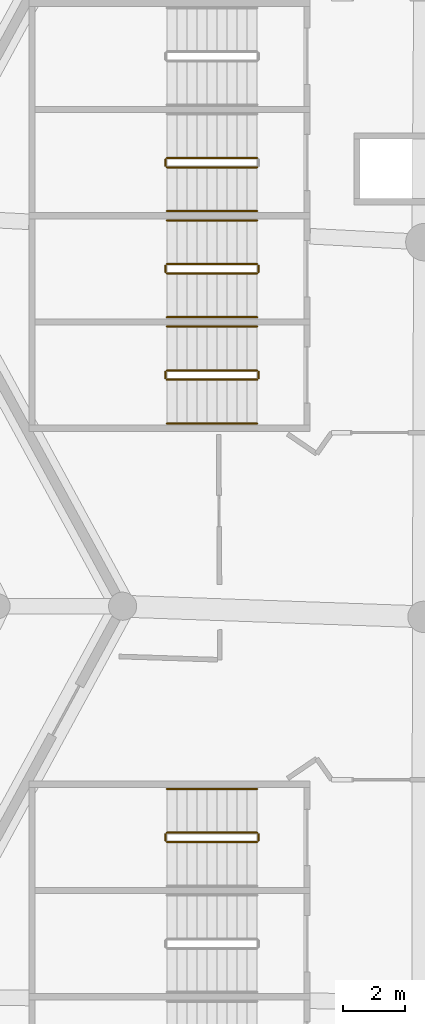
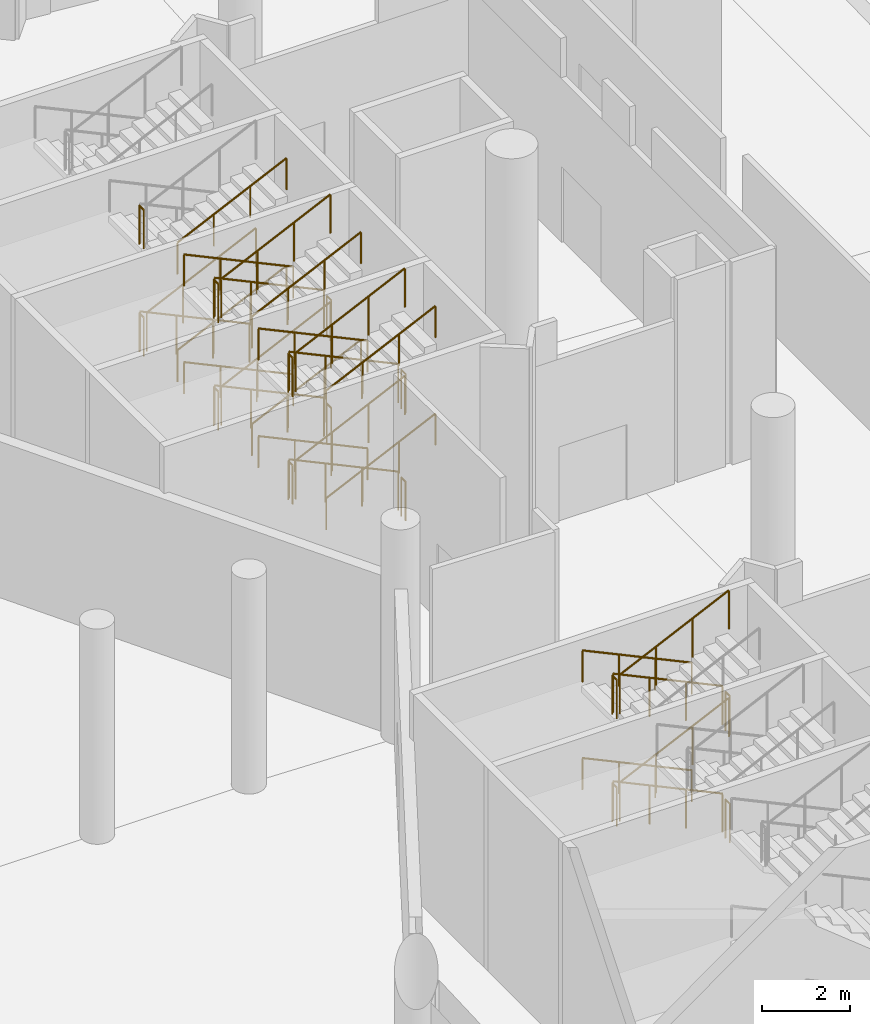
# One storey, part 228 of 249: 40 railings.
"""IFC4 building model written with IfcOpenShell, lengths in metres."""

from ifc_helpers import new_model, si_unit, direction, frame, origin, origin_2d, place, context, subcontext, project, spatial, circle, extrude, material, type_object, element, save


model = new_model("IFC4")

# Units and contexts
model_context = context("Model", 3, precision=1e-05, world=origin(), true_north=direction((0.0, 1.0)))
body_context = subcontext(model_context, "Body", "Model", "MODEL_VIEW")
ifc_project = project(units=[si_unit("LENGTHUNIT", "METRE"), si_unit("AREAUNIT", "SQUARE_METRE"), si_unit("VOLUMEUNIT", "CUBIC_METRE"), si_unit("PLANEANGLEUNIT", "RADIAN"), si_unit("MASSUNIT", "GRAM", prefix="KILO")], contexts=[model_context])

# Site, building, storey
site_placement = place(None, origin())
site = spatial("IfcSite", under=ifc_project, at=site_placement, CompositionType="ELEMENT")
building_placement = place(site_placement, origin())
building = spatial("IfcBuilding", under=site, at=building_placement, Name="Meseta Stadium", CompositionType="ELEMENT")
storey_placement = place(building_placement, frame((0.0, 0.0, 12.0)))
storey = spatial("IfcBuildingStorey", under=building, at=storey_placement, Name="L02", CompositionType="ELEMENT", Elevation=12.0)

# Railings
ifc_material_1 = material(Name="Steel S355", Category="steel")
railing_type_1 = type_object("IfcRailingType", Name="Stair guard 1100", PredefinedType="GUARDRAIL", material=ifc_material_1)
railing_1_placement = place(storey_placement, frame((-90.300048828125, 33.10009765625, 0.14990234375)))
element("IfcRailing", 1, at=railing_1_placement, inside=storey, type_object=railing_type_1, Name="ST62 L02 guard 1", PredefinedType="GUARDRAIL", context=body_context, shape_type="SweptSolid", body=[
    extrude(circle(Radius=0.02392578125, at=origin_2d()), frame((0.0, 0.0, 1.076171875), z_axis=(-0.905440498372, 0.0, 0.424473207528), x_axis=(0.0, -1.0, 0.0)), (0.0, 0.0, 1.0), 3.1806640625),
    extrude(circle(Radius=0.02099609375, at=origin_2d()), origin(), (0.0, 0.0, 1.0), 1.052001953125),
    extrude(circle(Radius=0.02099609375, at=origin_2d()), frame((-0.9599609375, 0.0, 0.449951171875)), (0.0, 0.0, 1.0), 1.052001953125),
    extrude(circle(Radius=0.02099609375, at=origin_2d()), frame((-1.919921875, 0.0, 0.900146484375)), (0.0, 0.0, 1.0), 1.052001953125),
    extrude(circle(Radius=0.02099609375, at=origin_2d()), frame((-2.8798828125, 0.0, 1.35009765625)), (0.0, 0.0, 1.0), 1.052001953125),
])
railing_2_placement = place(storey_placement, frame((-93.22998046875, 33.050048828125, 1.5)))
element("IfcRailing", 2, at=railing_2_placement, inside=storey, type_object=railing_type_1, Name="ST62 L02 guard 2", PredefinedType="GUARDRAIL", context=body_context, shape_type="SweptSolid", body=[
    extrude(circle(Radius=0.02392578125, at=origin_2d()), frame((0.0, 0.0, 1.076171875), z_axis=(0.0, -1.0, 0.0), x_axis=(1.0, 0.0, 0.0)), (0.0, 0.0, 1.0), 0.199951171875),
    extrude(circle(Radius=0.02099609375, at=origin_2d()), origin(), (0.0, 0.0, 1.0), 1.052001953125),
    extrude(circle(Radius=0.02099609375, at=origin_2d()), frame((0.0, -0.199951171875, 0.0)), (0.0, 0.0, 1.0), 1.052001953125),
])
railing_3_placement = place(storey_placement, frame((-93.179931640625, 32.800048828125, 1.64990234375)))
element("IfcRailing", 3, at=railing_3_placement, inside=storey, type_object=railing_type_1, Name="ST62 L02 guard 3", PredefinedType="GUARDRAIL", context=body_context, shape_type="SweptSolid", body=[
    extrude(circle(Radius=0.02392578125, at=origin_2d()), frame((0.0, 0.0, 1.076171875), z_axis=(0.905440498372, 0.0, 0.424473207528), x_axis=(0.0, 1.0, 0.0)), (0.0, 0.0, 1.0), 3.1806640625),
    extrude(circle(Radius=0.02099609375, at=origin_2d()), origin(), (0.0, 0.0, 1.0), 1.052001953125),
    extrude(circle(Radius=0.02099609375, at=origin_2d()), frame((0.9599609375, 0.0, 0.449951171875)), (0.0, 0.0, 1.0), 1.052001953125),
    extrude(circle(Radius=0.02099609375, at=origin_2d()), frame((1.919921875, 0.0, 0.900146484375)), (0.0, 0.0, 1.0), 1.052001953125),
    extrude(circle(Radius=0.02099609375, at=origin_2d()), frame((2.8798828125, 0.0, 1.35009765625)), (0.0, 0.0, 1.0), 1.052001953125),
])
railing_4_placement = place(storey_placement, frame((-93.22998046875, 33.050048828125, 4.5)))
element("IfcRailing", 4, at=railing_4_placement, inside=storey, type_object=railing_type_1, Name="ST62 L02 guard 6", PredefinedType="GUARDRAIL", context=body_context, shape_type="SweptSolid", body=[
    extrude(circle(Radius=0.02392578125, at=origin_2d()), frame((0.0, 0.0, 1.076171875), z_axis=(0.0, -1.0, 0.0), x_axis=(1.0, 0.0, 0.0)), (0.0, 0.0, 1.0), 0.199951171875),
    extrude(circle(Radius=0.02099609375, at=origin_2d()), origin(), (0.0, 0.0, 1.0), 1.052001953125),
    extrude(circle(Radius=0.02099609375, at=origin_2d()), frame((0.0, -0.199951171875, 0.0)), (0.0, 0.0, 1.0), 1.052001953125),
])
railing_5_placement = place(storey_placement, frame((-90.300048828125, 29.699951171875, 0.14990234375)))
element("IfcRailing", 5, at=railing_5_placement, inside=storey, type_object=railing_type_1, Name="ST63 L02 guard 1", PredefinedType="GUARDRAIL", context=body_context, shape_type="SweptSolid", body=[
    extrude(circle(Radius=0.02392578125, at=origin_2d()), frame((0.0, 0.0, 1.076171875), z_axis=(-0.905440498372, 0.0, 0.424473207528), x_axis=(0.0, -1.0, 0.0)), (0.0, 0.0, 1.0), 3.1806640625),
    extrude(circle(Radius=0.02099609375, at=origin_2d()), origin(), (0.0, 0.0, 1.0), 1.052001953125),
    extrude(circle(Radius=0.02099609375, at=origin_2d()), frame((-0.9599609375, 0.0, 0.449951171875)), (0.0, 0.0, 1.0), 1.052001953125),
    extrude(circle(Radius=0.02099609375, at=origin_2d()), frame((-1.919921875, 0.0, 0.900146484375)), (0.0, 0.0, 1.0), 1.052001953125),
    extrude(circle(Radius=0.02099609375, at=origin_2d()), frame((-2.8798828125, 0.0, 1.35009765625)), (0.0, 0.0, 1.0), 1.052001953125),
])
railing_6_placement = place(storey_placement, frame((-93.22998046875, 29.64990234375, 1.5)))
element("IfcRailing", 6, at=railing_6_placement, inside=storey, type_object=railing_type_1, Name="ST63 L02 guard 2", PredefinedType="GUARDRAIL", context=body_context, shape_type="SweptSolid", body=[
    extrude(circle(Radius=0.02392578125, at=origin_2d()), frame((0.0, 0.0, 1.076171875), z_axis=(0.0, -1.0, 0.0), x_axis=(1.0, 0.0, 0.0)), (0.0, 0.0, 1.0), 0.199951171875),
    extrude(circle(Radius=0.02099609375, at=origin_2d()), origin(), (0.0, 0.0, 1.0), 1.052001953125),
    extrude(circle(Radius=0.02099609375, at=origin_2d()), frame((0.0, -0.199951171875, 0.0)), (0.0, 0.0, 1.0), 1.052001953125),
])
railing_7_placement = place(storey_placement, frame((-93.179931640625, 29.39990234375, 1.64990234375)))
element("IfcRailing", 7, at=railing_7_placement, inside=storey, type_object=railing_type_1, Name="ST63 L02 guard 3", PredefinedType="GUARDRAIL", context=body_context, shape_type="SweptSolid", body=[
    extrude(circle(Radius=0.02392578125, at=origin_2d()), frame((0.0, 0.0, 1.076171875), z_axis=(0.905440498372, 0.0, 0.424473207528), x_axis=(0.0, 1.0, 0.0)), (0.0, 0.0, 1.0), 3.1806640625),
    extrude(circle(Radius=0.02099609375, at=origin_2d()), origin(), (0.0, 0.0, 1.0), 1.052001953125),
    extrude(circle(Radius=0.02099609375, at=origin_2d()), frame((0.9599609375, 0.0, 0.449951171875)), (0.0, 0.0, 1.0), 1.052001953125),
    extrude(circle(Radius=0.02099609375, at=origin_2d()), frame((1.919921875, 0.0, 0.900146484375)), (0.0, 0.0, 1.0), 1.052001953125),
    extrude(circle(Radius=0.02099609375, at=origin_2d()), frame((2.8798828125, 0.0, 1.35009765625)), (0.0, 0.0, 1.0), 1.052001953125),
])
railing_8_placement = place(storey_placement, frame((-90.25, 29.64990234375, 3.0)))
element("IfcRailing", 8, at=railing_8_placement, inside=storey, type_object=railing_type_1, Name="ST63 L02 guard 4", PredefinedType="GUARDRAIL", context=body_context, shape_type="SweptSolid", body=[
    extrude(circle(Radius=0.02392578125, at=origin_2d()), frame((0.0, 0.0, 1.076171875), z_axis=(0.0, -1.0, 0.0), x_axis=(1.0, 0.0, 0.0)), (0.0, 0.0, 1.0), 0.199951171875),
    extrude(circle(Radius=0.02099609375, at=origin_2d()), origin(), (0.0, 0.0, 1.0), 1.052001953125),
    extrude(circle(Radius=0.02099609375, at=origin_2d()), frame((0.0, -0.199951171875, 0.0)), (0.0, 0.0, 1.0), 1.052001953125),
])
railing_9_placement = place(storey_placement, frame((-90.300048828125, 29.699951171875, 3.14990234375)))
element("IfcRailing", 9, at=railing_9_placement, inside=storey, type_object=railing_type_1, Name="ST63 L02 guard 5", PredefinedType="GUARDRAIL", context=body_context, shape_type="SweptSolid", body=[
    extrude(circle(Radius=0.02392578125, at=origin_2d()), frame((0.0, 0.0, 1.076171875), z_axis=(-0.905440498372, 0.0, 0.424473207528), x_axis=(0.0, -1.0, 0.0)), (0.0, 0.0, 1.0), 3.1806640625),
    extrude(circle(Radius=0.02099609375, at=origin_2d()), origin(), (0.0, 0.0, 1.0), 1.052001953125),
    extrude(circle(Radius=0.02099609375, at=origin_2d()), frame((-0.9599609375, 0.0, 0.449951171875)), (0.0, 0.0, 1.0), 1.052001953125),
    extrude(circle(Radius=0.02099609375, at=origin_2d()), frame((-1.919921875, 0.0, 0.900146484375)), (0.0, 0.0, 1.0), 1.052001953125),
    extrude(circle(Radius=0.02099609375, at=origin_2d()), frame((-2.8798828125, 0.0, 1.35009765625)), (0.0, 0.0, 1.0), 1.052001953125),
])
railing_10_placement = place(storey_placement, frame((-93.22998046875, 29.64990234375, 4.5)))
element("IfcRailing", 10, at=railing_10_placement, inside=storey, type_object=railing_type_1, Name="ST63 L02 guard 6", PredefinedType="GUARDRAIL", context=body_context, shape_type="SweptSolid", body=[
    extrude(circle(Radius=0.02392578125, at=origin_2d()), frame((0.0, 0.0, 1.076171875), z_axis=(0.0, -1.0, 0.0), x_axis=(1.0, 0.0, 0.0)), (0.0, 0.0, 1.0), 0.199951171875),
    extrude(circle(Radius=0.02099609375, at=origin_2d()), origin(), (0.0, 0.0, 1.0), 1.052001953125),
    extrude(circle(Radius=0.02099609375, at=origin_2d()), frame((0.0, -0.199951171875, 0.0)), (0.0, 0.0, 1.0), 1.052001953125),
])
railing_11_placement = place(storey_placement, frame((-93.179931640625, 29.39990234375, 4.64990234375)))
element("IfcRailing", 11, at=railing_11_placement, inside=storey, type_object=railing_type_1, Name="ST63 L02 guard 7", PredefinedType="GUARDRAIL", context=body_context, shape_type="SweptSolid", body=[
    extrude(circle(Radius=0.02392578125, at=origin_2d()), frame((0.0, 0.0, 1.076171875), z_axis=(0.905440498372, 0.0, 0.424473207528), x_axis=(0.0, 1.0, 0.0)), (0.0, 0.0, 1.0), 3.1806640625),
    extrude(circle(Radius=0.02099609375, at=origin_2d()), origin(), (0.0, 0.0, 1.0), 1.052001953125),
    extrude(circle(Radius=0.02099609375, at=origin_2d()), frame((0.9599609375, 0.0, 0.449951171875)), (0.0, 0.0, 1.0), 1.052001953125),
    extrude(circle(Radius=0.02099609375, at=origin_2d()), frame((1.919921875, 0.0, 0.900146484375)), (0.0, 0.0, 1.0), 1.052001953125),
    extrude(circle(Radius=0.02099609375, at=origin_2d()), frame((2.8798828125, 0.0, 1.35009765625)), (0.0, 0.0, 1.0), 1.052001953125),
])
railing_12_placement = place(storey_placement, frame((-90.25, 29.64990234375, 0.0)))
element("IfcRailing", 12, at=railing_12_placement, inside=storey, type_object=railing_type_1, Name="ST63 L02 guard 8", PredefinedType="GUARDRAIL", context=body_context, shape_type="SweptSolid", body=[
    extrude(circle(Radius=0.02392578125, at=origin_2d()), frame((0.0, 0.0, 1.076171875), z_axis=(0.0, -1.0, 0.0), x_axis=(1.0, 0.0, 0.0)), (0.0, 0.0, 1.0), 0.199951171875),
    extrude(circle(Radius=0.02099609375, at=origin_2d()), origin(), (0.0, 0.0, 1.0), 1.052001953125),
    extrude(circle(Radius=0.02099609375, at=origin_2d()), frame((0.0, -0.199951171875, 0.0)), (0.0, 0.0, 1.0), 1.052001953125),
])
railing_13_placement = place(storey_placement, frame((-90.300048828125, 26.300048828125, 0.14990234375)))
element("IfcRailing", 13, at=railing_13_placement, inside=storey, type_object=railing_type_1, Name="ST64 L02 guard 1", PredefinedType="GUARDRAIL", context=body_context, shape_type="SweptSolid", body=[
    extrude(circle(Radius=0.02392578125, at=origin_2d()), frame((0.0, 0.0, 1.076171875), z_axis=(-0.905440498372, 0.0, 0.424473207528), x_axis=(0.0, -1.0, 0.0)), (0.0, 0.0, 1.0), 3.1806640625),
    extrude(circle(Radius=0.02099609375, at=origin_2d()), origin(), (0.0, 0.0, 1.0), 1.052001953125),
    extrude(circle(Radius=0.02099609375, at=origin_2d()), frame((-0.9599609375, 0.0, 0.449951171875)), (0.0, 0.0, 1.0), 1.052001953125),
    extrude(circle(Radius=0.02099609375, at=origin_2d()), frame((-1.919921875, 0.0, 0.900146484375)), (0.0, 0.0, 1.0), 1.052001953125),
    extrude(circle(Radius=0.02099609375, at=origin_2d()), frame((-2.8798828125, 0.0, 1.35009765625)), (0.0, 0.0, 1.0), 1.052001953125),
])
railing_14_placement = place(storey_placement, frame((-93.22998046875, 26.25, 1.5)))
element("IfcRailing", 14, at=railing_14_placement, inside=storey, type_object=railing_type_1, Name="ST64 L02 guard 2", PredefinedType="GUARDRAIL", context=body_context, shape_type="SweptSolid", body=[
    extrude(circle(Radius=0.02392578125, at=origin_2d()), frame((0.0, 0.0, 1.076171875), z_axis=(0.0, -1.0, 0.0), x_axis=(1.0, 0.0, 0.0)), (0.0, 0.0, 1.0), 0.199951171875),
    extrude(circle(Radius=0.02099609375, at=origin_2d()), origin(), (0.0, 0.0, 1.0), 1.052001953125),
    extrude(circle(Radius=0.02099609375, at=origin_2d()), frame((0.0, -0.199951171875, 0.0)), (0.0, 0.0, 1.0), 1.052001953125),
])
railing_15_placement = place(storey_placement, frame((-93.179931640625, 26.0, 1.64990234375)))
element("IfcRailing", 15, at=railing_15_placement, inside=storey, type_object=railing_type_1, Name="ST64 L02 guard 3", PredefinedType="GUARDRAIL", context=body_context, shape_type="SweptSolid", body=[
    extrude(circle(Radius=0.02392578125, at=origin_2d()), frame((0.0, 0.0, 1.076171875), z_axis=(0.905440498372, 0.0, 0.424473207528), x_axis=(0.0, 1.0, 0.0)), (0.0, 0.0, 1.0), 3.1806640625),
    extrude(circle(Radius=0.02099609375, at=origin_2d()), origin(), (0.0, 0.0, 1.0), 1.052001953125),
    extrude(circle(Radius=0.02099609375, at=origin_2d()), frame((0.9599609375, 0.0, 0.449951171875)), (0.0, 0.0, 1.0), 1.052001953125),
    extrude(circle(Radius=0.02099609375, at=origin_2d()), frame((1.919921875, 0.0, 0.900146484375)), (0.0, 0.0, 1.0), 1.052001953125),
    extrude(circle(Radius=0.02099609375, at=origin_2d()), frame((2.8798828125, 0.0, 1.35009765625)), (0.0, 0.0, 1.0), 1.052001953125),
])
railing_16_placement = place(storey_placement, frame((-90.25, 26.25, 3.0)))
element("IfcRailing", 16, at=railing_16_placement, inside=storey, type_object=railing_type_1, Name="ST64 L02 guard 4", PredefinedType="GUARDRAIL", context=body_context, shape_type="SweptSolid", body=[
    extrude(circle(Radius=0.02392578125, at=origin_2d()), frame((0.0, 0.0, 1.076171875), z_axis=(0.0, -1.0, 0.0), x_axis=(1.0, 0.0, 0.0)), (0.0, 0.0, 1.0), 0.199951171875),
    extrude(circle(Radius=0.02099609375, at=origin_2d()), origin(), (0.0, 0.0, 1.0), 1.052001953125),
    extrude(circle(Radius=0.02099609375, at=origin_2d()), frame((0.0, -0.199951171875, 0.0)), (0.0, 0.0, 1.0), 1.052001953125),
])
railing_17_placement = place(storey_placement, frame((-90.300048828125, 26.300048828125, 3.14990234375)))
element("IfcRailing", 17, at=railing_17_placement, inside=storey, type_object=railing_type_1, Name="ST64 L02 guard 5", PredefinedType="GUARDRAIL", context=body_context, shape_type="SweptSolid", body=[
    extrude(circle(Radius=0.02392578125, at=origin_2d()), frame((0.0, 0.0, 1.076171875), z_axis=(-0.905440498372, 0.0, 0.424473207528), x_axis=(0.0, -1.0, 0.0)), (0.0, 0.0, 1.0), 3.1806640625),
    extrude(circle(Radius=0.02099609375, at=origin_2d()), origin(), (0.0, 0.0, 1.0), 1.052001953125),
    extrude(circle(Radius=0.02099609375, at=origin_2d()), frame((-0.9599609375, 0.0, 0.449951171875)), (0.0, 0.0, 1.0), 1.052001953125),
    extrude(circle(Radius=0.02099609375, at=origin_2d()), frame((-1.919921875, 0.0, 0.900146484375)), (0.0, 0.0, 1.0), 1.052001953125),
    extrude(circle(Radius=0.02099609375, at=origin_2d()), frame((-2.8798828125, 0.0, 1.35009765625)), (0.0, 0.0, 1.0), 1.052001953125),
])
railing_18_placement = place(storey_placement, frame((-93.22998046875, 26.25, 4.5)))
element("IfcRailing", 18, at=railing_18_placement, inside=storey, type_object=railing_type_1, Name="ST64 L02 guard 6", PredefinedType="GUARDRAIL", context=body_context, shape_type="SweptSolid", body=[
    extrude(circle(Radius=0.02392578125, at=origin_2d()), frame((0.0, 0.0, 1.076171875), z_axis=(0.0, -1.0, 0.0), x_axis=(1.0, 0.0, 0.0)), (0.0, 0.0, 1.0), 0.199951171875),
    extrude(circle(Radius=0.02099609375, at=origin_2d()), origin(), (0.0, 0.0, 1.0), 1.052001953125),
    extrude(circle(Radius=0.02099609375, at=origin_2d()), frame((0.0, -0.199951171875, 0.0)), (0.0, 0.0, 1.0), 1.052001953125),
])
railing_19_placement = place(storey_placement, frame((-93.179931640625, 26.0, 4.64990234375)))
element("IfcRailing", 19, at=railing_19_placement, inside=storey, type_object=railing_type_1, Name="ST64 L02 guard 7", PredefinedType="GUARDRAIL", context=body_context, shape_type="SweptSolid", body=[
    extrude(circle(Radius=0.02392578125, at=origin_2d()), frame((0.0, 0.0, 1.076171875), z_axis=(0.905440498372, 0.0, 0.424473207528), x_axis=(0.0, 1.0, 0.0)), (0.0, 0.0, 1.0), 3.1806640625),
    extrude(circle(Radius=0.02099609375, at=origin_2d()), origin(), (0.0, 0.0, 1.0), 1.052001953125),
    extrude(circle(Radius=0.02099609375, at=origin_2d()), frame((0.9599609375, 0.0, 0.449951171875)), (0.0, 0.0, 1.0), 1.052001953125),
    extrude(circle(Radius=0.02099609375, at=origin_2d()), frame((1.919921875, 0.0, 0.900146484375)), (0.0, 0.0, 1.0), 1.052001953125),
    extrude(circle(Radius=0.02099609375, at=origin_2d()), frame((2.8798828125, 0.0, 1.35009765625)), (0.0, 0.0, 1.0), 1.052001953125),
])
railing_20_placement = place(storey_placement, frame((-90.25, 26.25, 0.0)))
element("IfcRailing", 20, at=railing_20_placement, inside=storey, type_object=railing_type_1, Name="ST64 L02 guard 8", PredefinedType="GUARDRAIL", context=body_context, shape_type="SweptSolid", body=[
    extrude(circle(Radius=0.02392578125, at=origin_2d()), frame((0.0, 0.0, 1.076171875), z_axis=(0.0, -1.0, 0.0), x_axis=(1.0, 0.0, 0.0)), (0.0, 0.0, 1.0), 0.199951171875),
    extrude(circle(Radius=0.02099609375, at=origin_2d()), origin(), (0.0, 0.0, 1.0), 1.052001953125),
    extrude(circle(Radius=0.02099609375, at=origin_2d()), frame((0.0, -0.199951171875, 0.0)), (0.0, 0.0, 1.0), 1.052001953125),
])
railing_21_placement = place(storey_placement, frame((-90.300048828125, 11.5, 0.14990234375)))
element("IfcRailing", 21, at=railing_21_placement, inside=storey, type_object=railing_type_1, Name="ST65 L02 guard 1", PredefinedType="GUARDRAIL", context=body_context, shape_type="SweptSolid", body=[
    extrude(circle(Radius=0.02392578125, at=origin_2d()), frame((0.0, 0.0, 1.076171875), z_axis=(-0.905440498372, 0.0, 0.424473207528), x_axis=(0.0, -1.0, 0.0)), (0.0, 0.0, 1.0), 3.1806640625),
    extrude(circle(Radius=0.02099609375, at=origin_2d()), origin(), (0.0, 0.0, 1.0), 1.052001953125),
    extrude(circle(Radius=0.02099609375, at=origin_2d()), frame((-0.9599609375, 0.0, 0.449951171875)), (0.0, 0.0, 1.0), 1.052001953125),
    extrude(circle(Radius=0.02099609375, at=origin_2d()), frame((-1.919921875, 0.0, 0.900146484375)), (0.0, 0.0, 1.0), 1.052001953125),
    extrude(circle(Radius=0.02099609375, at=origin_2d()), frame((-2.8798828125, 0.0, 1.35009765625)), (0.0, 0.0, 1.0), 1.052001953125),
])
railing_22_placement = place(storey_placement, frame((-93.22998046875, 11.449951171875, 1.5)))
element("IfcRailing", 22, at=railing_22_placement, inside=storey, type_object=railing_type_1, Name="ST65 L02 guard 2", PredefinedType="GUARDRAIL", context=body_context, shape_type="SweptSolid", body=[
    extrude(circle(Radius=0.02392578125, at=origin_2d()), frame((0.0, 0.0, 1.076171875), z_axis=(0.0, -1.0, 0.0), x_axis=(1.0, 0.0, 0.0)), (0.0, 0.0, 1.0), 0.199951171875),
    extrude(circle(Radius=0.02099609375, at=origin_2d()), origin(), (0.0, 0.0, 1.0), 1.052001953125),
    extrude(circle(Radius=0.02099609375, at=origin_2d()), frame((0.0, -0.199951171875, 0.0)), (0.0, 0.0, 1.0), 1.052001953125),
])
railing_23_placement = place(storey_placement, frame((-93.179931640625, 11.199951171875, 1.64990234375)))
element("IfcRailing", 23, at=railing_23_placement, inside=storey, type_object=railing_type_1, Name="ST65 L02 guard 3", PredefinedType="GUARDRAIL", context=body_context, shape_type="SweptSolid", body=[
    extrude(circle(Radius=0.02392578125, at=origin_2d()), frame((0.0, 0.0, 1.076171875), z_axis=(0.905440498372, 0.0, 0.424473207528), x_axis=(0.0, 1.0, 0.0)), (0.0, 0.0, 1.0), 3.1806640625),
    extrude(circle(Radius=0.02099609375, at=origin_2d()), origin(), (0.0, 0.0, 1.0), 1.052001953125),
    extrude(circle(Radius=0.02099609375, at=origin_2d()), frame((0.9599609375, 0.0, 0.449951171875)), (0.0, 0.0, 1.0), 1.052001953125),
    extrude(circle(Radius=0.02099609375, at=origin_2d()), frame((1.919921875, 0.0, 0.900146484375)), (0.0, 0.0, 1.0), 1.052001953125),
    extrude(circle(Radius=0.02099609375, at=origin_2d()), frame((2.8798828125, 0.0, 1.35009765625)), (0.0, 0.0, 1.0), 1.052001953125),
])
railing_24_placement = place(storey_placement, frame((-90.25, 11.449951171875, 3.0)))
element("IfcRailing", 24, at=railing_24_placement, inside=storey, type_object=railing_type_1, Name="ST65 L02 guard 4", PredefinedType="GUARDRAIL", context=body_context, shape_type="SweptSolid", body=[
    extrude(circle(Radius=0.02392578125, at=origin_2d()), frame((0.0, 0.0, 1.076171875), z_axis=(0.0, -1.0, 0.0), x_axis=(1.0, 0.0, 0.0)), (0.0, 0.0, 1.0), 0.199951171875),
    extrude(circle(Radius=0.02099609375, at=origin_2d()), origin(), (0.0, 0.0, 1.0), 1.052001953125),
    extrude(circle(Radius=0.02099609375, at=origin_2d()), frame((0.0, -0.199951171875, 0.0)), (0.0, 0.0, 1.0), 1.052001953125),
])
railing_25_placement = place(storey_placement, frame((-90.300048828125, 11.5, 3.14990234375)))
element("IfcRailing", 25, at=railing_25_placement, inside=storey, type_object=railing_type_1, Name="ST65 L02 guard 5", PredefinedType="GUARDRAIL", context=body_context, shape_type="SweptSolid", body=[
    extrude(circle(Radius=0.02392578125, at=origin_2d()), frame((0.0, 0.0, 1.076171875), z_axis=(-0.905440498372, 0.0, 0.424473207528), x_axis=(0.0, -1.0, 0.0)), (0.0, 0.0, 1.0), 3.1806640625),
    extrude(circle(Radius=0.02099609375, at=origin_2d()), origin(), (0.0, 0.0, 1.0), 1.052001953125),
    extrude(circle(Radius=0.02099609375, at=origin_2d()), frame((-0.9599609375, 0.0, 0.449951171875)), (0.0, 0.0, 1.0), 1.052001953125),
    extrude(circle(Radius=0.02099609375, at=origin_2d()), frame((-1.919921875, 0.0, 0.900146484375)), (0.0, 0.0, 1.0), 1.052001953125),
    extrude(circle(Radius=0.02099609375, at=origin_2d()), frame((-2.8798828125, 0.0, 1.35009765625)), (0.0, 0.0, 1.0), 1.052001953125),
])
railing_26_placement = place(storey_placement, frame((-93.22998046875, 11.449951171875, 4.5)))
element("IfcRailing", 26, at=railing_26_placement, inside=storey, type_object=railing_type_1, Name="ST65 L02 guard 6", PredefinedType="GUARDRAIL", context=body_context, shape_type="SweptSolid", body=[
    extrude(circle(Radius=0.02392578125, at=origin_2d()), frame((0.0, 0.0, 1.076171875), z_axis=(0.0, -1.0, 0.0), x_axis=(1.0, 0.0, 0.0)), (0.0, 0.0, 1.0), 0.199951171875),
    extrude(circle(Radius=0.02099609375, at=origin_2d()), origin(), (0.0, 0.0, 1.0), 1.052001953125),
    extrude(circle(Radius=0.02099609375, at=origin_2d()), frame((0.0, -0.199951171875, 0.0)), (0.0, 0.0, 1.0), 1.052001953125),
])
railing_27_placement = place(storey_placement, frame((-93.179931640625, 11.199951171875, 4.64990234375)))
element("IfcRailing", 27, at=railing_27_placement, inside=storey, type_object=railing_type_1, Name="ST65 L02 guard 7", PredefinedType="GUARDRAIL", context=body_context, shape_type="SweptSolid", body=[
    extrude(circle(Radius=0.02392578125, at=origin_2d()), frame((0.0, 0.0, 1.076171875), z_axis=(0.905440498372, 0.0, 0.424473207528), x_axis=(0.0, 1.0, 0.0)), (0.0, 0.0, 1.0), 3.1806640625),
    extrude(circle(Radius=0.02099609375, at=origin_2d()), origin(), (0.0, 0.0, 1.0), 1.052001953125),
    extrude(circle(Radius=0.02099609375, at=origin_2d()), frame((0.9599609375, 0.0, 0.449951171875)), (0.0, 0.0, 1.0), 1.052001953125),
    extrude(circle(Radius=0.02099609375, at=origin_2d()), frame((1.919921875, 0.0, 0.900146484375)), (0.0, 0.0, 1.0), 1.052001953125),
    extrude(circle(Radius=0.02099609375, at=origin_2d()), frame((2.8798828125, 0.0, 1.35009765625)), (0.0, 0.0, 1.0), 1.052001953125),
])
railing_28_placement = place(storey_placement, frame((-90.25, 11.449951171875, 0.0)))
element("IfcRailing", 28, at=railing_28_placement, inside=storey, type_object=railing_type_1, Name="ST65 L02 guard 8", PredefinedType="GUARDRAIL", context=body_context, shape_type="SweptSolid", body=[
    extrude(circle(Radius=0.02392578125, at=origin_2d()), frame((0.0, 0.0, 1.076171875), z_axis=(0.0, -1.0, 0.0), x_axis=(1.0, 0.0, 0.0)), (0.0, 0.0, 1.0), 0.199951171875),
    extrude(circle(Radius=0.02099609375, at=origin_2d()), origin(), (0.0, 0.0, 1.0), 1.052001953125),
    extrude(circle(Radius=0.02099609375, at=origin_2d()), frame((0.0, -0.199951171875, 0.0)), (0.0, 0.0, 1.0), 1.052001953125),
])
ifc_material_2 = material(Name="Steel S355", Category="steel")
railing_type_2 = type_object("IfcRailingType", Name="Stair handrail 900", PredefinedType="HANDRAIL", material=ifc_material_2)
for number, where, name in (
    (29, (-93.179931640625, 31.39990234375, 1.64990234375), "ST62 L02 handrail 2"),
    (30, (-93.179931640625, 31.39990234375, 4.64990234375), "ST62 L02 handrail 4"),
):
    element("IfcRailing", number, at=place(storey_placement, frame(where)), inside=storey, type_object=railing_type_2, Name=name, PredefinedType="HANDRAIL", context=body_context, shape_type="SweptSolid", body=[
        extrude(circle(Radius=0.02392578125, at=origin_2d()), frame((0.0, 0.0, 0.8759765625), z_axis=(0.905440498372, 0.0, 0.424473207528), x_axis=(0.0, 1.0, 0.0)), (0.0, 0.0, 1.0), 3.1806640625),
        extrude(circle(Radius=0.02099609375, at=origin_2d()), origin(), (0.0, 0.0, 1.0), 0.851806640625),
        extrude(circle(Radius=0.02099609375, at=origin_2d()), frame((0.9599609375, 0.0, 0.449951171875)), (0.0, 0.0, 1.0), 0.851806640625),
        extrude(circle(Radius=0.02099609375, at=origin_2d()), frame((1.919921875, 0.0, 0.900146484375)), (0.0, 0.0, 1.0), 0.851806640625),
        extrude(circle(Radius=0.02099609375, at=origin_2d()), frame((2.8798828125, 0.0, 1.35009765625)), (0.0, 0.0, 1.0), 0.851806640625),
    ])
railing_29_placement = place(storey_placement, frame((-90.300048828125, 31.10009765625, 0.14990234375)))
element("IfcRailing", 31, at=railing_29_placement, inside=storey, type_object=railing_type_2, Name="ST63 L02 handrail 1", PredefinedType="HANDRAIL", context=body_context, shape_type="SweptSolid", body=[
    extrude(circle(Radius=0.02392578125, at=origin_2d()), frame((0.0, 0.0, 0.8759765625), z_axis=(-0.905440498372, 0.0, 0.424473207528), x_axis=(0.0, -1.0, 0.0)), (0.0, 0.0, 1.0), 3.1806640625),
    extrude(circle(Radius=0.02099609375, at=origin_2d()), origin(), (0.0, 0.0, 1.0), 0.851806640625),
    extrude(circle(Radius=0.02099609375, at=origin_2d()), frame((-0.9599609375, 0.0, 0.449951171875)), (0.0, 0.0, 1.0), 0.851806640625),
    extrude(circle(Radius=0.02099609375, at=origin_2d()), frame((-1.919921875, 0.0, 0.900146484375)), (0.0, 0.0, 1.0), 0.851806640625),
    extrude(circle(Radius=0.02099609375, at=origin_2d()), frame((-2.8798828125, 0.0, 1.35009765625)), (0.0, 0.0, 1.0), 0.851806640625),
])
railing_30_placement = place(storey_placement, frame((-93.179931640625, 28.0, 1.64990234375)))
element("IfcRailing", 32, at=railing_30_placement, inside=storey, type_object=railing_type_2, Name="ST63 L02 handrail 2", PredefinedType="HANDRAIL", context=body_context, shape_type="SweptSolid", body=[
    extrude(circle(Radius=0.02392578125, at=origin_2d()), frame((0.0, 0.0, 0.8759765625), z_axis=(0.905440498372, 0.0, 0.424473207528), x_axis=(0.0, 1.0, 0.0)), (0.0, 0.0, 1.0), 3.1806640625),
    extrude(circle(Radius=0.02099609375, at=origin_2d()), origin(), (0.0, 0.0, 1.0), 0.851806640625),
    extrude(circle(Radius=0.02099609375, at=origin_2d()), frame((0.9599609375, 0.0, 0.449951171875)), (0.0, 0.0, 1.0), 0.851806640625),
    extrude(circle(Radius=0.02099609375, at=origin_2d()), frame((1.919921875, 0.0, 0.900146484375)), (0.0, 0.0, 1.0), 0.851806640625),
    extrude(circle(Radius=0.02099609375, at=origin_2d()), frame((2.8798828125, 0.0, 1.35009765625)), (0.0, 0.0, 1.0), 0.851806640625),
])
railing_31_placement = place(storey_placement, frame((-90.300048828125, 31.10009765625, 3.14990234375)))
element("IfcRailing", 33, at=railing_31_placement, inside=storey, type_object=railing_type_2, Name="ST63 L02 handrail 3", PredefinedType="HANDRAIL", context=body_context, shape_type="SweptSolid", body=[
    extrude(circle(Radius=0.02392578125, at=origin_2d()), frame((0.0, 0.0, 0.8759765625), z_axis=(-0.905440498372, 0.0, 0.424473207528), x_axis=(0.0, -1.0, 0.0)), (0.0, 0.0, 1.0), 3.1806640625),
    extrude(circle(Radius=0.02099609375, at=origin_2d()), origin(), (0.0, 0.0, 1.0), 0.851806640625),
    extrude(circle(Radius=0.02099609375, at=origin_2d()), frame((-0.9599609375, 0.0, 0.449951171875)), (0.0, 0.0, 1.0), 0.851806640625),
    extrude(circle(Radius=0.02099609375, at=origin_2d()), frame((-1.919921875, 0.0, 0.900146484375)), (0.0, 0.0, 1.0), 0.851806640625),
    extrude(circle(Radius=0.02099609375, at=origin_2d()), frame((-2.8798828125, 0.0, 1.35009765625)), (0.0, 0.0, 1.0), 0.851806640625),
])
railing_32_placement = place(storey_placement, frame((-93.179931640625, 28.0, 4.64990234375)))
element("IfcRailing", 34, at=railing_32_placement, inside=storey, type_object=railing_type_2, Name="ST63 L02 handrail 4", PredefinedType="HANDRAIL", context=body_context, shape_type="SweptSolid", body=[
    extrude(circle(Radius=0.02392578125, at=origin_2d()), frame((0.0, 0.0, 0.8759765625), z_axis=(0.905440498372, 0.0, 0.424473207528), x_axis=(0.0, 1.0, 0.0)), (0.0, 0.0, 1.0), 3.1806640625),
    extrude(circle(Radius=0.02099609375, at=origin_2d()), origin(), (0.0, 0.0, 1.0), 0.851806640625),
    extrude(circle(Radius=0.02099609375, at=origin_2d()), frame((0.9599609375, 0.0, 0.449951171875)), (0.0, 0.0, 1.0), 0.851806640625),
    extrude(circle(Radius=0.02099609375, at=origin_2d()), frame((1.919921875, 0.0, 0.900146484375)), (0.0, 0.0, 1.0), 0.851806640625),
    extrude(circle(Radius=0.02099609375, at=origin_2d()), frame((2.8798828125, 0.0, 1.35009765625)), (0.0, 0.0, 1.0), 0.851806640625),
])
railing_33_placement = place(storey_placement, frame((-90.300048828125, 27.699951171875, 0.14990234375)))
element("IfcRailing", 35, at=railing_33_placement, inside=storey, type_object=railing_type_2, Name="ST64 L02 handrail 1", PredefinedType="HANDRAIL", context=body_context, shape_type="SweptSolid", body=[
    extrude(circle(Radius=0.02392578125, at=origin_2d()), frame((0.0, 0.0, 0.8759765625), z_axis=(-0.905440498372, 0.0, 0.424473207528), x_axis=(0.0, -1.0, 0.0)), (0.0, 0.0, 1.0), 3.1806640625),
    extrude(circle(Radius=0.02099609375, at=origin_2d()), origin(), (0.0, 0.0, 1.0), 0.851806640625),
    extrude(circle(Radius=0.02099609375, at=origin_2d()), frame((-0.9599609375, 0.0, 0.449951171875)), (0.0, 0.0, 1.0), 0.851806640625),
    extrude(circle(Radius=0.02099609375, at=origin_2d()), frame((-1.919921875, 0.0, 0.900146484375)), (0.0, 0.0, 1.0), 0.851806640625),
    extrude(circle(Radius=0.02099609375, at=origin_2d()), frame((-2.8798828125, 0.0, 1.35009765625)), (0.0, 0.0, 1.0), 0.851806640625),
])
railing_34_placement = place(storey_placement, frame((-93.179931640625, 24.60009765625, 1.64990234375)))
element("IfcRailing", 36, at=railing_34_placement, inside=storey, type_object=railing_type_2, Name="ST64 L02 handrail 2", PredefinedType="HANDRAIL", context=body_context, shape_type="SweptSolid", body=[
    extrude(circle(Radius=0.02392578125, at=origin_2d()), frame((0.0, 0.0, 0.8759765625), z_axis=(0.905440498372, 0.0, 0.424473207528), x_axis=(0.0, 1.0, 0.0)), (0.0, 0.0, 1.0), 3.1806640625),
    extrude(circle(Radius=0.02099609375, at=origin_2d()), origin(), (0.0, 0.0, 1.0), 0.851806640625),
    extrude(circle(Radius=0.02099609375, at=origin_2d()), frame((0.9599609375, 0.0, 0.449951171875)), (0.0, 0.0, 1.0), 0.851806640625),
    extrude(circle(Radius=0.02099609375, at=origin_2d()), frame((1.919921875, 0.0, 0.900146484375)), (0.0, 0.0, 1.0), 0.851806640625),
    extrude(circle(Radius=0.02099609375, at=origin_2d()), frame((2.8798828125, 0.0, 1.35009765625)), (0.0, 0.0, 1.0), 0.851806640625),
])
railing_35_placement = place(storey_placement, frame((-90.300048828125, 27.699951171875, 3.14990234375)))
element("IfcRailing", 37, at=railing_35_placement, inside=storey, type_object=railing_type_2, Name="ST64 L02 handrail 3", PredefinedType="HANDRAIL", context=body_context, shape_type="SweptSolid", body=[
    extrude(circle(Radius=0.02392578125, at=origin_2d()), frame((0.0, 0.0, 0.8759765625), z_axis=(-0.905440498372, 0.0, 0.424473207528), x_axis=(0.0, -1.0, 0.0)), (0.0, 0.0, 1.0), 3.1806640625),
    extrude(circle(Radius=0.02099609375, at=origin_2d()), origin(), (0.0, 0.0, 1.0), 0.851806640625),
    extrude(circle(Radius=0.02099609375, at=origin_2d()), frame((-0.9599609375, 0.0, 0.449951171875)), (0.0, 0.0, 1.0), 0.851806640625),
    extrude(circle(Radius=0.02099609375, at=origin_2d()), frame((-1.919921875, 0.0, 0.900146484375)), (0.0, 0.0, 1.0), 0.851806640625),
    extrude(circle(Radius=0.02099609375, at=origin_2d()), frame((-2.8798828125, 0.0, 1.35009765625)), (0.0, 0.0, 1.0), 0.851806640625),
])
railing_36_placement = place(storey_placement, frame((-93.179931640625, 24.60009765625, 4.64990234375)))
element("IfcRailing", 38, at=railing_36_placement, inside=storey, type_object=railing_type_2, Name="ST64 L02 handrail 4", PredefinedType="HANDRAIL", context=body_context, shape_type="SweptSolid", body=[
    extrude(circle(Radius=0.02392578125, at=origin_2d()), frame((0.0, 0.0, 0.8759765625), z_axis=(0.905440498372, 0.0, 0.424473207528), x_axis=(0.0, 1.0, 0.0)), (0.0, 0.0, 1.0), 3.1806640625),
    extrude(circle(Radius=0.02099609375, at=origin_2d()), origin(), (0.0, 0.0, 1.0), 0.851806640625),
    extrude(circle(Radius=0.02099609375, at=origin_2d()), frame((0.9599609375, 0.0, 0.449951171875)), (0.0, 0.0, 1.0), 0.851806640625),
    extrude(circle(Radius=0.02099609375, at=origin_2d()), frame((1.919921875, 0.0, 0.900146484375)), (0.0, 0.0, 1.0), 0.851806640625),
    extrude(circle(Radius=0.02099609375, at=origin_2d()), frame((2.8798828125, 0.0, 1.35009765625)), (0.0, 0.0, 1.0), 0.851806640625),
])
for number, where, name in (
    (39, (-90.300048828125, 12.89990234375, 0.14990234375), "ST65 L02 handrail 1"),
    (40, (-90.300048828125, 12.89990234375, 3.14990234375), "ST65 L02 handrail 3"),
):
    element("IfcRailing", number, at=place(storey_placement, frame(where)), inside=storey, type_object=railing_type_2, Name=name, PredefinedType="HANDRAIL", context=body_context, shape_type="SweptSolid", body=[
        extrude(circle(Radius=0.02392578125, at=origin_2d()), frame((0.0, 0.0, 0.8759765625), z_axis=(-0.905440498372, 0.0, 0.424473207528), x_axis=(0.0, -1.0, 0.0)), (0.0, 0.0, 1.0), 3.1806640625),
        extrude(circle(Radius=0.02099609375, at=origin_2d()), origin(), (0.0, 0.0, 1.0), 0.851806640625),
        extrude(circle(Radius=0.02099609375, at=origin_2d()), frame((-0.9599609375, 0.0, 0.449951171875)), (0.0, 0.0, 1.0), 0.851806640625),
        extrude(circle(Radius=0.02099609375, at=origin_2d()), frame((-1.919921875, 0.0, 0.900146484375)), (0.0, 0.0, 1.0), 0.851806640625),
        extrude(circle(Radius=0.02099609375, at=origin_2d()), frame((-2.8798828125, 0.0, 1.35009765625)), (0.0, 0.0, 1.0), 0.851806640625),
    ])

save(model, "model.ifc")
